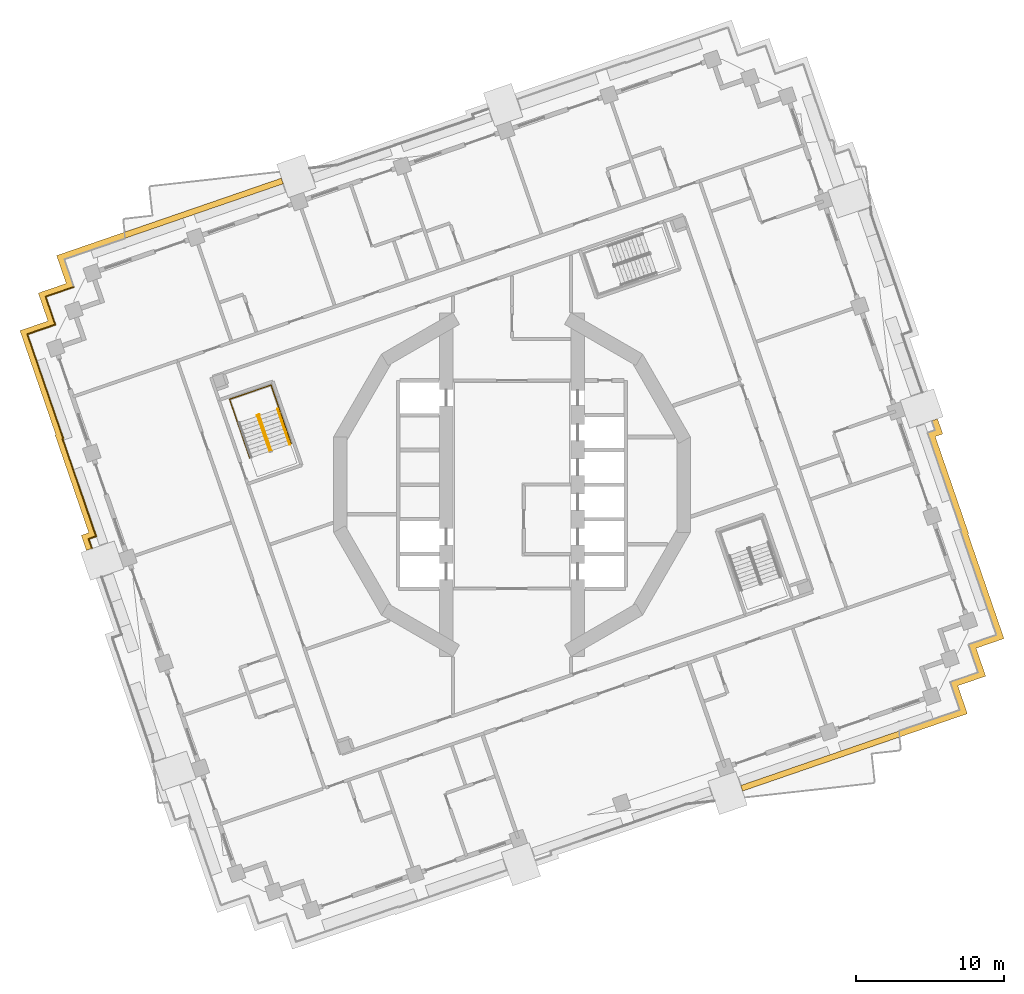
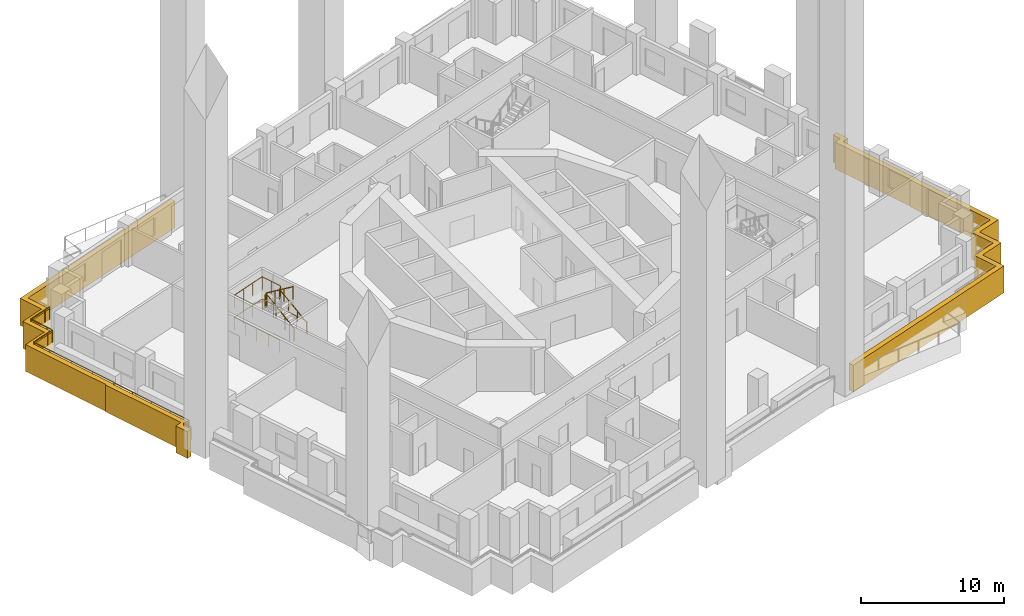
# One storey, part 14 of 18: 6 railings, 2 coverings.
"""IFC4 building model written with IfcOpenShell, lengths in metres."""

from ifc_helpers import new_model, si_unit, direction, frame, origin, origin_2d, place, context, subcontext, project, spatial, polyline, circle, outline, extrude, material, type_object, element, save


model = new_model("IFC4")

# Units and contexts
model_context = context("Model", 3, precision=1e-05, world=origin(), true_north=direction((0.0, 1.0)))
body_context = subcontext(model_context, "Body", "Model", "MODEL_VIEW")
ifc_project = project(units=[si_unit("LENGTHUNIT", "METRE"), si_unit("AREAUNIT", "SQUARE_METRE"), si_unit("VOLUMEUNIT", "CUBIC_METRE"), si_unit("PLANEANGLEUNIT", "RADIAN"), si_unit("MASSUNIT", "GRAM", prefix="KILO")], contexts=[model_context])

# Site, building, storey
site_placement = place(None, origin())
site = spatial("IfcSite", under=ifc_project, at=site_placement, CompositionType="ELEMENT")
building_placement = place(site_placement, origin())
building = spatial("IfcBuilding", under=site, at=building_placement, Name="Cantera Rosa Tower", CompositionType="ELEMENT")
storey_placement = place(building_placement, frame((0.0, 0.0, 100.300048828125)))
storey = spatial("IfcBuildingStorey", under=building, at=storey_placement, Name="L19", CompositionType="ELEMENT", Elevation=100.300048828125)

# Railings
ifc_material_1 = material(Name="Stainless steel and laminated glass", Category="steel")
railing_type_1 = type_object("IfcRailingType", Name="GUARD 1100", PredefinedType="BALUSTRADE", material=ifc_material_1)
railing_1_placement = place(storey_placement, frame((-28.4375, -4.302734375, 0.0)))
element("IfcRailing", 1, at=railing_1_placement, inside=storey, type_object=railing_type_1, Name="GUARD L19-6", PredefinedType="BALUSTRADE", context=body_context, shape_type="SweptSolid", body=[
    extrude(circle(Radius=0.030029296875, at=origin_2d()), frame((0.0, 0.0, 1.070068359375), z_axis=(-0.325659546452, 0.945487101871, 0.0), x_axis=(-0.945487101871, -0.325659546452, 0.0)), (0.0, 0.0, 1.0), 0.658935546875),
    extrude(circle(Radius=0.030029296875, at=origin_2d()), frame((-0.214599609375, 0.623046875, 1.070068359375), z_axis=(0.945368163096, 0.326004656722, 0.0), x_axis=(-0.326004656722, 0.945368163096, 0.0)), (0.0, 0.0, 1.0), 0.538330078125),
    extrude(circle(Radius=0.030029296875, at=origin_2d()), frame((0.29443359375, 0.798583984375, 1.070068359375), z_axis=(-0.325570342636, 0.945517822146, 0.0), x_axis=(-0.945517822146, -0.325570342636, 0.0)), (0.0, 0.0, 1.0), 6.9814453125),
    extrude(circle(Radius=0.030029296875, at=origin_2d()), frame((-1.978515625, 7.399658203125, 1.070068359375), z_axis=(0.946241776499, 0.323460199109, 0.0), x_axis=(-0.323460199109, 0.946241776499, 0.0)), (0.0, 0.0, 1.0), 0.050537109375),
    extrude(circle(Radius=0.030029296875, at=origin_2d()), frame((-1.9306640625, 7.416015625, 1.070068359375), z_axis=(-0.325549503815, 0.945524997325, 0.0), x_axis=(-0.945524997325, -0.325549503815, 0.0)), (0.0, 0.0, 1.0), 5.969482421875),
    extrude(circle(Radius=0.030029296875, at=origin_2d()), frame((-3.8740234375, 13.060302734375, 1.070068359375), z_axis=(-0.325539181077, 0.945528551438, 0.0), x_axis=(-0.945528551438, -0.325539181077, 0.0)), (0.0, 0.0, 1.0), 1.5),
    extrude(circle(Radius=0.030029296875, at=origin_2d()), frame((-4.3623046875, 14.478515625, 1.070068359375), z_axis=(0.945528551438, 0.325539181077, 0.0), x_axis=(-0.325539181077, 0.945528551438, 0.0)), (0.0, 0.0, 1.0), 1.5),
    extrude(circle(Radius=0.030029296875, at=origin_2d()), frame((-2.944091796875, 14.966796875, 1.070068359375), z_axis=(0.945461173218, 0.32573481536, 0.0), x_axis=(-0.32573481536, 0.945461173218, 0.0)), (0.0, 0.0, 1.0), 0.5),
    extrude(circle(Radius=0.030029296875, at=origin_2d()), frame((-2.471435546875, 15.129638671875, 1.070068359375), z_axis=(-0.325147989177, 0.945663145699, 0.0), x_axis=(-0.945663145699, -0.325147989177, 0.0)), (0.0, 0.0, 1.0), 0.5),
    extrude(circle(Radius=0.030029296875, at=origin_2d()), frame((-2.634033203125, 15.6025390625, 1.070068359375), z_axis=(-0.325684689469, 0.945478441343, 0.0), x_axis=(-0.945478441343, -0.325684689469, 0.0)), (0.0, 0.0, 1.0), 1.5),
    extrude(circle(Radius=0.030029296875, at=origin_2d()), frame((-3.12255859375, 17.020751953125, 1.070068359375), z_axis=(0.945545797087, 0.325489086777, 0.0), x_axis=(-0.325489086777, 0.945545797087, 0.0)), (0.0, 0.0, 1.0), 1.500244140625),
    extrude(circle(Radius=0.030029296875, at=origin_2d()), frame((-1.7041015625, 17.509033203125, 1.070068359375), z_axis=(0.945461173218, 0.32573481536, 0.0), x_axis=(-0.32573481536, 0.945461173218, 0.0)), (0.0, 0.0, 1.0), 0.5),
    extrude(circle(Radius=0.02490234375, at=origin_2d()), origin(), (0.0, 0.0, 1.0), 1.0400390625),
    extrude(circle(Radius=0.02490234375, at=origin_2d()), frame((-0.214599609375, 0.623046875, 0.0)), (0.0, 0.0, 1.0), 1.0400390625),
    extrude(circle(Radius=0.02490234375, at=origin_2d()), frame((0.29443359375, 0.798583984375, 0.0)), (0.0, 0.0, 1.0), 1.0400390625),
    extrude(circle(Radius=0.02490234375, at=origin_2d()), frame((-0.27392578125, 2.44873046875, 0.0)), (0.0, 0.0, 1.0), 1.0400390625),
    extrude(circle(Radius=0.02490234375, at=origin_2d()), frame((-0.842041015625, 4.09912109375, 0.0)), (0.0, 0.0, 1.0), 1.0400390625),
    extrude(circle(Radius=0.02490234375, at=origin_2d()), frame((-1.41015625, 5.74951171875, 0.0)), (0.0, 0.0, 1.0), 1.0400390625),
    extrude(circle(Radius=0.02490234375, at=origin_2d()), frame((-1.978515625, 7.399658203125, 0.0)), (0.0, 0.0, 1.0), 1.0400390625),
    extrude(circle(Radius=0.02490234375, at=origin_2d()), frame((-1.9306640625, 7.416015625, 0.0)), (0.0, 0.0, 1.0), 1.0400390625),
    extrude(circle(Radius=0.02490234375, at=origin_2d()), frame((-2.578369140625, 9.29736328125, 0.0)), (0.0, 0.0, 1.0), 1.0400390625),
    extrude(circle(Radius=0.02490234375, at=origin_2d()), frame((-3.226318359375, 11.178955078125, 0.0)), (0.0, 0.0, 1.0), 1.0400390625),
    extrude(circle(Radius=0.02490234375, at=origin_2d()), frame((-3.8740234375, 13.060302734375, 0.0)), (0.0, 0.0, 1.0), 1.0400390625),
    extrude(circle(Radius=0.02490234375, at=origin_2d()), frame((-4.3623046875, 14.478515625, 0.0)), (0.0, 0.0, 1.0), 1.0400390625),
    extrude(circle(Radius=0.02490234375, at=origin_2d()), frame((-2.944091796875, 14.966796875, 0.0)), (0.0, 0.0, 1.0), 1.0400390625),
    extrude(circle(Radius=0.02490234375, at=origin_2d()), frame((-2.471435546875, 15.129638671875, 0.0)), (0.0, 0.0, 1.0), 1.0400390625),
    extrude(circle(Radius=0.02490234375, at=origin_2d()), frame((-2.634033203125, 15.6025390625, 0.0)), (0.0, 0.0, 1.0), 1.0400390625),
    extrude(circle(Radius=0.02490234375, at=origin_2d()), frame((-3.12255859375, 17.020751953125, 0.0)), (0.0, 0.0, 1.0), 1.0400390625),
    extrude(circle(Radius=0.02490234375, at=origin_2d()), frame((-1.7041015625, 17.509033203125, 0.0)), (0.0, 0.0, 1.0), 1.0400390625),
    extrude(circle(Radius=0.02490234375, at=origin_2d()), frame((-1.2314453125, 17.671875, 0.0)), (0.0, 0.0, 1.0), 1.0400390625),
])
ifc_material_2 = material(Name="Steel S355J2 (EN 10025-2)", Category="steel")
railing_type_2 = type_object("IfcRailingType", Name="STAIR GUARD 1100", PredefinedType="GUARDRAIL", material=ifc_material_2)
railing_2_placement = place(storey_placement, frame((-16.2978515625, 2.292236328125, 0.18994140625)))
element("IfcRailing", 2, at=railing_2_placement, inside=storey, type_object=railing_type_2, Name="L19 ST-22 stair guard 1", PredefinedType="GUARDRAIL", context=body_context, shape_type="SweptSolid", body=[
    extrude(circle(Radius=0.02392578125, at=origin_2d()), frame((0.0, 0.0, 1.076171875), z_axis=(-0.269432418223, 0.782404165978, 0.561471186323), x_axis=(-0.94550776501, -0.325599548996, 0.0)), (0.0, 0.0, 1.0), 3.04541015625),
    extrude(circle(Radius=0.02392578125, at=origin_2d()), frame((-0.820556640625, 2.3828125, 2.7861328125), z_axis=(0.147491890402, 0.989063265047, 0.0), x_axis=(-0.989063265047, 0.147491890402, 0.0)), (0.0, 0.0, 1.0), 0.056396484375),
    extrude(circle(Radius=0.02392578125, at=origin_2d()), frame((-0.812255859375, 2.4384765625, 2.7861328125), z_axis=(-0.945372981626, -0.325990683319, 0.0), x_axis=(0.325990683319, -0.945372981626, 0.0)), (0.0, 0.0, 1.0), 0.14990234375),
    extrude(circle(Radius=0.02099609375, at=origin_2d()), origin(), (0.0, 0.0, 1.0), 1.052001953125),
    extrude(circle(Radius=0.02099609375, at=origin_2d()), frame((-0.2734375, 0.794189453125, 0.570068359375)), (0.0, 0.0, 1.0), 1.052001953125),
    extrude(circle(Radius=0.02099609375, at=origin_2d()), frame((-0.547119140625, 1.588623046875, 1.139892578125)), (0.0, 0.0, 1.0), 1.052001953125),
    extrude(circle(Radius=0.02099609375, at=origin_2d()), frame((-0.820556640625, 2.3828125, 1.7099609375)), (0.0, 0.0, 1.0), 1.052001953125),
    extrude(circle(Radius=0.02099609375, at=origin_2d()), frame((-0.812255859375, 2.4384765625, 1.7099609375)), (0.0, 0.0, 1.0), 1.052001953125),
    extrude(circle(Radius=0.02099609375, at=origin_2d()), frame((-0.953857421875, 2.3896484375, 1.7099609375)), (0.0, 0.0, 1.0), 1.052001953125),
])
railing_3_placement = place(storey_placement, frame((-17.2109375, 4.64306640625, 2.08984375)))
element("IfcRailing", 3, at=railing_3_placement, inside=storey, type_object=railing_type_2, Name="L19 ST-22 stair guard 2", PredefinedType="GUARDRAIL", context=body_context, shape_type="SweptSolid", body=[
    extrude(circle(Radius=0.02392578125, at=origin_2d()), frame((0.0, 0.0, 1.076171875), z_axis=(0.269345946519, -0.782385844651, 0.561538201002), x_axis=(0.945537585866, 0.325512939397, 0.0)), (0.0, 0.0, 1.0), 3.045654296875),
    extrude(circle(Radius=0.02099609375, at=origin_2d()), origin(), (0.0, 0.0, 1.0), 1.052001953125),
    extrude(circle(Radius=0.02099609375, at=origin_2d()), frame((0.2734375, -0.794189453125, 0.570068359375)), (0.0, 0.0, 1.0), 1.052001953125),
    extrude(circle(Radius=0.02099609375, at=origin_2d()), frame((0.546875, -1.588623046875, 1.14013671875)), (0.0, 0.0, 1.0), 1.052001953125),
    extrude(circle(Radius=0.02099609375, at=origin_2d()), frame((0.8203125, -2.3828125, 1.710205078125)), (0.0, 0.0, 1.0), 1.052001953125),
])
railing_4_placement = place(storey_placement, frame((-14.944091796875, 2.77099609375, 0.0)))
element("IfcRailing", 4, at=railing_4_placement, inside=storey, type_object=railing_type_2, Name="L19 ST-22 stair guard 4", PredefinedType="GUARDRAIL", context=body_context, shape_type="SweptSolid", body=[
    extrude(circle(Radius=0.02392578125, at=origin_2d()), frame((0.0, 0.0, 1.076171875), z_axis=(-0.325546180042, 0.945526141712, 0.0), x_axis=(-0.945526141712, -0.325546180042, 0.0)), (0.0, 0.0, 1.0), 4.1982421875),
    extrude(circle(Radius=0.02392578125, at=origin_2d()), frame((-1.36669921875, 3.969482421875, 1.076171875), z_axis=(-0.945504814226, -0.325608117645, 0.0), x_axis=(0.325608117645, -0.945504814226, 0.0)), (0.0, 0.0, 1.0), 2.969970703125),
    extrude(circle(Radius=0.02392578125, at=origin_2d()), frame((-4.1748046875, 3.00244140625, 1.076171875), z_axis=(0.325564081496, -0.945519978022, 0.0), x_axis=(0.945519978022, 0.325564081496, 0.0)), (0.0, 0.0, 1.0), 4.197998046875),
    extrude(circle(Radius=0.02099609375, at=origin_2d()), origin(), (0.0, 0.0, 1.0), 1.052001953125),
    extrude(circle(Radius=0.02099609375, at=origin_2d()), frame((-0.341796875, 0.992431640625, 0.0)), (0.0, 0.0, 1.0), 1.052001953125),
    extrude(circle(Radius=0.02099609375, at=origin_2d()), frame((-0.683349609375, 1.98486328125, 0.0)), (0.0, 0.0, 1.0), 1.052001953125),
    extrude(circle(Radius=0.02099609375, at=origin_2d()), frame((-1.02490234375, 2.97705078125, 0.0)), (0.0, 0.0, 1.0), 1.052001953125),
    extrude(circle(Radius=0.02099609375, at=origin_2d()), frame((-1.36669921875, 3.969482421875, 0.0)), (0.0, 0.0, 1.0), 1.052001953125),
    extrude(circle(Radius=0.02099609375, at=origin_2d()), frame((-2.302734375, 3.647216796875, 0.0)), (0.0, 0.0, 1.0), 1.052001953125),
    extrude(circle(Radius=0.02099609375, at=origin_2d()), frame((-3.23876953125, 3.32470703125, 0.0)), (0.0, 0.0, 1.0), 1.052001953125),
    extrude(circle(Radius=0.02099609375, at=origin_2d()), frame((-4.1748046875, 3.00244140625, 0.0)), (0.0, 0.0, 1.0), 1.052001953125),
    extrude(circle(Radius=0.02099609375, at=origin_2d()), frame((-3.8330078125, 2.01025390625, 0.0)), (0.0, 0.0, 1.0), 1.052001953125),
    extrude(circle(Radius=0.02099609375, at=origin_2d()), frame((-3.491455078125, 1.017822265625, 0.0)), (0.0, 0.0, 1.0), 1.052001953125),
    extrude(circle(Radius=0.02099609375, at=origin_2d()), frame((-3.14990234375, 0.025390625, 0.0)), (0.0, 0.0, 1.0), 1.052001953125),
    extrude(circle(Radius=0.02099609375, at=origin_2d()), frame((-2.80810546875, -0.966796875, 0.0)), (0.0, 0.0, 1.0), 1.052001953125),
])
railing_5_placement = place(storey_placement, frame((-15.756591796875, 5.131103515625, 1.89990234375)))
element("IfcRailing", 5, at=railing_5_placement, inside=storey, type_object=railing_type_2, Name="L19 ST-22 stair guard 5", PredefinedType="GUARDRAIL", context=body_context, shape_type="SweptSolid", body=[
    extrude(circle(Radius=0.02392578125, at=origin_2d()), frame((0.0, 0.0, 1.076171875), z_axis=(-0.32559282233, 0.94551008141, 0.0), x_axis=(-0.94551008141, -0.32559282233, 0.0)), (0.0, 0.0, 1.0), 1.7021484375),
    extrude(circle(Radius=0.02392578125, at=origin_2d()), frame((-0.55419921875, 1.609375, 1.076171875), z_axis=(-0.945504814226, -0.325608117645, 0.0), x_axis=(0.325608117645, -0.945504814226, 0.0)), (0.0, 0.0, 1.0), 2.969970703125),
    extrude(circle(Radius=0.02392578125, at=origin_2d()), frame((-3.3623046875, 0.642333984375, 1.076171875), z_axis=(0.325464585813, -0.945554230799, 0.0), x_axis=(0.945554230799, 0.325464585813, 0.0)), (0.0, 0.0, 1.0), 1.7021484375),
    extrude(circle(Radius=0.02099609375, at=origin_2d()), origin(), (0.0, 0.0, 1.0), 1.052001953125),
    extrude(circle(Radius=0.02099609375, at=origin_2d()), frame((-0.277099609375, 0.8046875, 0.0)), (0.0, 0.0, 1.0), 1.052001953125),
    extrude(circle(Radius=0.02099609375, at=origin_2d()), frame((-0.55419921875, 1.609375, 0.0)), (0.0, 0.0, 1.0), 1.052001953125),
    extrude(circle(Radius=0.02099609375, at=origin_2d()), frame((-1.490234375, 1.287109375, 0.0)), (0.0, 0.0, 1.0), 1.052001953125),
    extrude(circle(Radius=0.02099609375, at=origin_2d()), frame((-2.42626953125, 0.964599609375, 0.0)), (0.0, 0.0, 1.0), 1.052001953125),
    extrude(circle(Radius=0.02099609375, at=origin_2d()), frame((-3.3623046875, 0.642333984375, 0.0)), (0.0, 0.0, 1.0), 1.052001953125),
    extrude(circle(Radius=0.02099609375, at=origin_2d()), frame((-3.08544921875, -0.162353515625, 0.0)), (0.0, 0.0, 1.0), 1.052001953125),
    extrude(circle(Radius=0.02099609375, at=origin_2d()), frame((-2.808349609375, -0.967041015625, 0.0)), (0.0, 0.0, 1.0), 1.052001953125),
])
ifc_material_3 = material(Name="Steel S355J2 (EN 10025-2)", Category="steel")
railing_type_3 = type_object("IfcRailingType", Name="STAIR HANDRAIL 900", PredefinedType="HANDRAIL", material=ifc_material_3)
railing_6_placement = place(storey_placement, frame((-15.044189453125, 2.723876953125, 0.18994140625)))
element("IfcRailing", 6, at=railing_6_placement, inside=storey, type_object=railing_type_3, Name="L19 ST-22 stair handrail 1", PredefinedType="HANDRAIL", context=body_context, shape_type="SweptSolid", body=[
    extrude(circle(Radius=0.02392578125, at=origin_2d()), frame((0.0, 0.0, 0.8759765625), z_axis=(-0.269358070891, 0.782421063063, 0.561483312059), x_axis=(-0.945537585866, -0.325512939397, 0.0)), (0.0, 0.0, 1.0), 3.04541015625),
    extrude(circle(Radius=0.02099609375, at=origin_2d()), origin(), (0.0, 0.0, 1.0), 0.851806640625),
    extrude(circle(Radius=0.02099609375, at=origin_2d()), frame((-0.2734375, 0.794189453125, 0.570068359375)), (0.0, 0.0, 1.0), 0.851806640625),
    extrude(circle(Radius=0.02099609375, at=origin_2d()), frame((-0.546875, 1.588623046875, 1.139892578125)), (0.0, 0.0, 1.0), 0.851806640625),
    extrude(circle(Radius=0.02099609375, at=origin_2d()), frame((-0.8203125, 2.3828125, 1.7099609375)), (0.0, 0.0, 1.0), 0.851806640625),
])

# Coverings
ifc_material_4 = material(Name="Cantera stone", Category="masonry")
covering_type = type_object("IfcCoveringType", Name="TRAY FASCIA 400", PredefinedType="CLADDING", material=ifc_material_4)
covering_1_placement = place(storey_placement, frame((0.0, 0.0, -1.400146484375)))
element("IfcCovering", 7, at=covering_1_placement, inside=storey, type_object=covering_type, Name="TRAY FASCIA L19-01", PredefinedType="CLADDING", context=body_context, shape_type="SweptSolid", body=[
    extrude(outline(polyline([(-33.308349609375, 10.423828125), (-31.511962890625, 11.042236328125), (-31.417236328125, 11.074951171875), (-31.449951171875, 11.16943359375), (-32.068359375, 12.966064453125), (-30.27197265625, 13.58447265625), (-30.177490234375, 13.6171875), (-30.2099609375, 13.711669921875), (-30.82861328125, 15.508056640625), (-29.031982421875, 16.126708984375), (-23.453369140625, 18.047607421875), (-20.616943359375, 19.024169921875), (-16.45654296875, 20.456787109375), (-15.615234375, 20.74658203125), (-15.48486328125, 20.368408203125), (-16.326416015625, 20.07861328125), (-20.48681640625, 18.64599609375), (-23.3232421875, 17.66943359375), (-28.90185546875, 15.74853515625), (-30.320068359375, 15.26025390625), (-29.831787109375, 13.841796875), (-29.6689453125, 13.369140625), (-30.1416015625, 13.206298828125), (-31.56005859375, 12.718017578125), (-31.071533203125, 11.2998046875), (-30.908935546875, 10.826904296875), (-31.381591796875, 10.6640625), (-32.7998046875, 10.17578125), (-32.3115234375, 8.757568359375), (-30.3681640625, 3.11328125), (-30.416015625, 3.096923828125), (-28.14306640625, -3.504150390625), (-28.652099609375, -3.6796875), (-28.43115234375, -4.32177734375), (-28.809326171875, -4.451904296875), (-29.16064453125, -3.431640625), (-28.651611328125, -3.25634765625), (-30.924560546875, 3.344970703125), (-30.87646484375, 3.361328125), (-32.689697265625, 8.627197265625), (-33.308349609375, 10.423828125)])), origin(), (0.0, 0.0, 1.0), 2.300048828125),
])
covering_2_placement = place(storey_placement, frame((0.0, 0.0, -1.400146484375)))
element("IfcCovering", 8, at=covering_2_placement, inside=storey, type_object=covering_type, Name="TRAY FASCIA L19-06", PredefinedType="CLADDING", context=body_context, shape_type="SweptSolid", body=[
    extrude(outline(polyline([(29.16064453125, 3.431640625), (28.651611328125, 3.25634765625), (30.924560546875, -3.344970703125), (30.87646484375, -3.361328125), (32.689697265625, -8.627197265625), (33.308349609375, -10.423828125), (31.511962890625, -11.042236328125), (31.417236328125, -11.074951171875), (31.449951171875, -11.16943359375), (32.068359375, -12.966064453125), (30.27197265625, -13.58447265625), (30.177490234375, -13.6171875), (30.2099609375, -13.711669921875), (30.82861328125, -15.508056640625), (29.031982421875, -16.126708984375), (23.453369140625, -18.047607421875), (20.616943359375, -19.024169921875), (16.45654296875, -20.456787109375), (15.615234375, -20.74658203125), (15.48486328125, -20.368408203125), (16.326416015625, -20.07861328125), (20.48681640625, -18.64599609375), (23.3232421875, -17.66943359375), (28.90185546875, -15.74853515625), (30.320068359375, -15.26025390625), (29.831787109375, -13.841796875), (29.6689453125, -13.369140625), (30.1416015625, -13.206298828125), (31.56005859375, -12.718017578125), (31.071533203125, -11.2998046875), (30.908935546875, -10.826904296875), (31.381591796875, -10.6640625), (32.7998046875, -10.17578125), (32.3115234375, -8.757568359375), (30.3681640625, -3.11328125), (30.416015625, -3.096923828125), (28.14306640625, 3.504150390625), (28.652099609375, 3.6796875), (28.43115234375, 4.32177734375), (28.809326171875, 4.451904296875), (29.16064453125, 3.431640625)])), origin(), (0.0, 0.0, 1.0), 2.300048828125),
])

save(model, "model.ifc")
